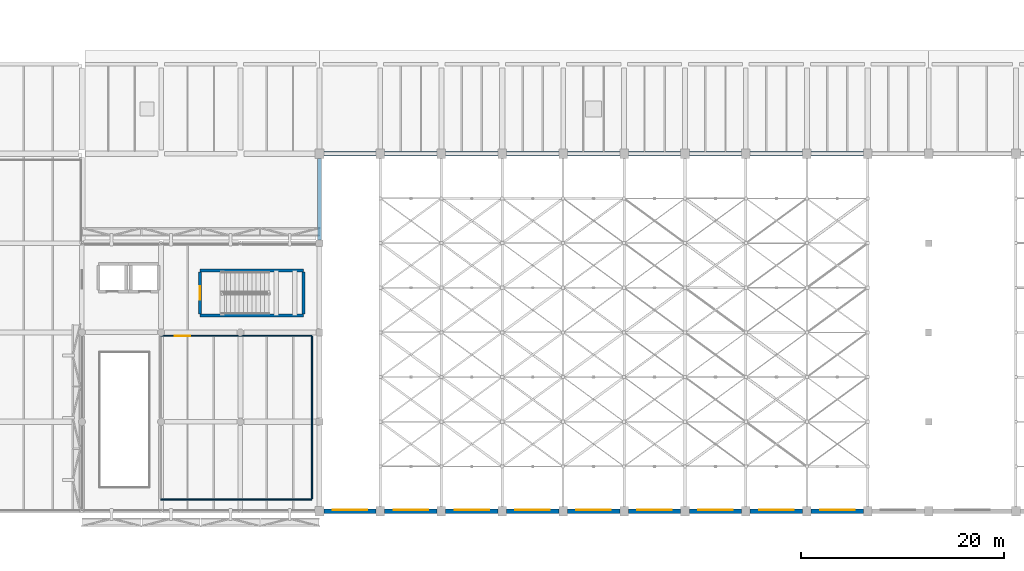
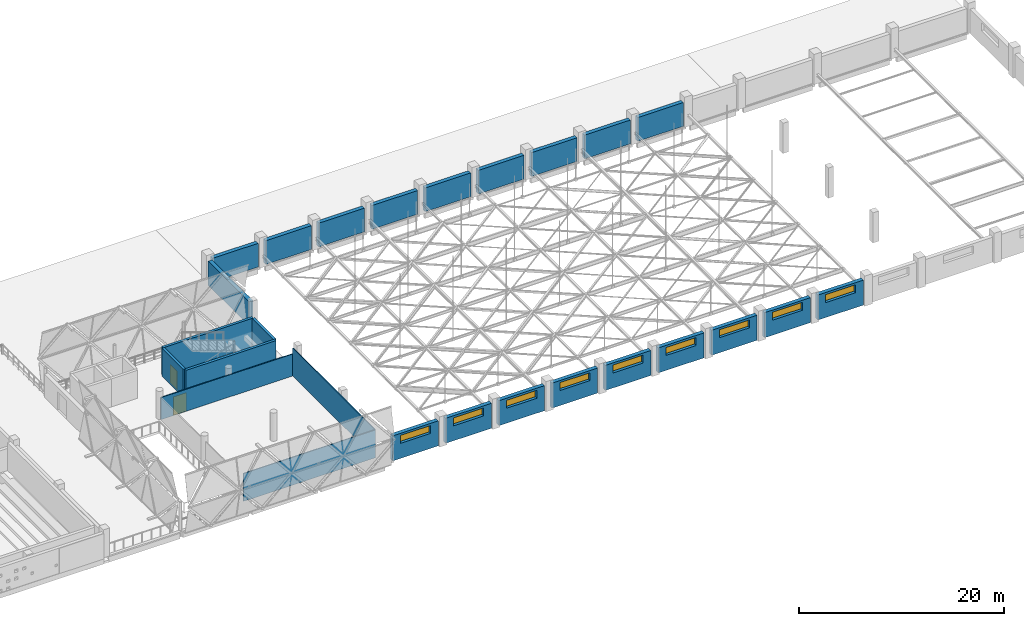
# One storey, part 81 of 93: 26 walls, 9 windows, 2 doors, 11 openings.
"""IFC4 building model written with IfcOpenShell, lengths in metres."""

from ifc_helpers import new_model, si_unit, direction, frame, frame_2d, origin, place, context, subcontext, project, spatial, rectangle, extrude, material, layer, layer_set, type_object, element, fill, save


model = new_model("IFC4")

# Units and contexts
model_context = context("Model", 3, precision=1e-05, world=origin(), true_north=direction((0.0, 1.0)))
body_context = subcontext(model_context, "Body", "Model", "MODEL_VIEW")
ifc_project = project(units=[si_unit("LENGTHUNIT", "METRE"), si_unit("AREAUNIT", "SQUARE_METRE"), si_unit("VOLUMEUNIT", "CUBIC_METRE"), si_unit("PLANEANGLEUNIT", "RADIAN"), si_unit("MASSUNIT", "GRAM", prefix="KILO")], contexts=[model_context])

# Site, building, storey
site_placement = place(None, origin())
site = spatial("IfcSite", under=ifc_project, at=site_placement, CompositionType="ELEMENT")
building_placement = place(site_placement, origin())
building = spatial("IfcBuilding", under=site, at=building_placement, Name="Varnakota Cinema and Media Centre", CompositionType="ELEMENT")
storey_placement = place(building_placement, frame((0.0, 0.0, 12.0)))
storey = spatial("IfcBuildingStorey", under=building, at=storey_placement, Name="L03", CompositionType="ELEMENT", Elevation=12.0)

# Wall
ifc_material_1 = material(Name="Concrete M40", Category="concrete")
ifc_layer_1 = layer(ifc_material_1, 0.300048828125)
ifc_layer_set_1 = layer_set([ifc_layer_1], Name="Concrete M40")
wall_type_1 = type_object("IfcWallType", Name="W-CORE-300", PredefinedType="SHEAR", material=ifc_layer_set_1)
wall_1_placement = place(storey_placement, frame((73.429931640625, 19.25, 0.0), z_axis=(0.0, 0.0, 1.0), x_axis=(-1.0, 0.0, 0.0)))
element("IfcWall", 1, at=wall_1_placement, inside=storey, type_object=wall_type_1, Name="L03 CWALL-ST-04-L03 S wall", PredefinedType="SHEAR", context=body_context, shape_type="SweptSolid", body=[
    extrude(rectangle(XDim=10.179931640625, YDim=0.300048828125, at=frame_2d((5.08984375, 0.0))), origin(), (0.0, 0.0, 1.0), 3.35009765625),
])

# Wall, opening, door
wall_2_placement = place(storey_placement, frame((63.25, 19.39990234375, 0.0), z_axis=(0.0, 0.0, 1.0), x_axis=(0.0, 1.0, 0.0)))
wall_2 = element("IfcWall", 2, at=wall_2_placement, inside=storey, type_object=wall_type_1, Name="L03 CWALL-ST-04-L03 W wall", PredefinedType="SHEAR", context=body_context, shape_type="SweptSolid", body=[
    extrude(rectangle(XDim=4.150146484375, YDim=0.300048828125, at=frame_2d((2.0751953125, 0.0))), origin(), (0.0, 0.0, 1.0), 3.35009765625),
])
opening_1_placement = place(wall_2_placement, frame((1.39990234375, 0.0, 0.0)))
opening_1 = element("IfcOpeningElement", 3, at=opening_1_placement, cuts=wall_2, Name="Opening SD-04", PredefinedType="OPENING", context=body_context, shape_type="SweptSolid", body=[
    extrude(rectangle(XDim=1.35009765625, YDim=2.199951171875, at=frame_2d((0.675048828125, 1.10009765625))), frame((0.0, 0.14990234375, 0.0), z_axis=(0.0, -1.0, 0.0), x_axis=(1.0, 0.0, 0.0)), (0.0, 0.0, 1.0), 0.300048828125),
])
ifc_material_2 = material(Name="Thermally broken anodised aluminium AW-6063", Category="aluminium")
door_type_1 = type_object("IfcDoorType", Name="DR-STAIR-1350x2200", OperationType="NOTDEFINED", PredefinedType="DOOR", material=ifc_material_2)
door_1_placement = place(opening_1_placement, origin())
door_1 = element("IfcDoor", 4, at=door_1_placement, inside=storey, type_object=door_type_1, Name="L03 door SD-04", OperationType="SINGLE_SWING_RIGHT", OverallHeight=2.199951171875, OverallWidth=1.35009765625, PredefinedType="DOOR", context=body_context, shape_type="SweptSolid", body=[
    extrude(rectangle(XDim=1.35009765625, YDim=2.199951171875, at=frame_2d((0.675048828125, 1.10009765625))), frame((0.0, 0.02490234375, 0.0), z_axis=(0.0, -1.0, 0.0), x_axis=(1.0, 0.0, 0.0)), (0.0, 0.0, 1.0), 0.050048828125),
])
fill(opening_1, door_1)

# Walls
wall_3_placement = place(storey_placement, frame((63.25, 23.699951171875, 0.0), z_axis=(0.0, 0.0, 1.0), x_axis=(1.0, 0.0, 0.0)))
element("IfcWall", 5, at=wall_3_placement, inside=storey, type_object=wall_type_1, Name="L03 CWALL-ST-04-L03 N wall", PredefinedType="SHEAR", context=body_context, shape_type="SweptSolid", body=[
    extrude(rectangle(XDim=10.179931640625, YDim=0.300048828125, at=frame_2d((5.08984375, 0.0))), origin(), (0.0, 0.0, 1.0), 3.35009765625),
])
wall_4_placement = place(storey_placement, frame((73.429931640625, 23.550048828125, 0.0), z_axis=(0.0, 0.0, 1.0), x_axis=(0.0, -1.0, 0.0)))
element("IfcWall", 6, at=wall_4_placement, inside=storey, type_object=wall_type_1, Name="L03 CWALL-ST-04-L03 E wall", PredefinedType="SHEAR", context=body_context, shape_type="SweptSolid", body=[
    extrude(rectangle(XDim=4.150146484375, YDim=0.300048828125, at=frame_2d((2.0751953125, 0.0))), origin(), (0.0, 0.0, 1.0), 3.35009765625),
])

# Wall, opening, window
ifc_material_3 = material(Name="Deccan grey granite ashlar", Category="masonry")
ifc_layer_2 = layer(ifc_material_3, 0.43994140625)
ifc_layer_set_2 = layer_set([ifc_layer_2], Name="Deccan grey granite ashlar")
wall_type_2 = type_object("IfcWallType", Name="W-EXT-HALL-440", PredefinedType="SOLIDWALL", material=ifc_layer_set_2)
wall_5_placement = place(storey_placement, frame((128.574951171875, 0.0, 0.0), z_axis=(0.0, 0.0, 1.0), x_axis=(-1.0, 0.0, 0.0)))
wall_5 = element("IfcWall", 7, at=wall_5_placement, inside=storey, type_object=wall_type_2, Name="L03 exterior wall V1-S-2", PredefinedType="SOLIDWALL", context=body_context, shape_type="SweptSolid", body=[
    extrude(rectangle(XDim=5.14990234375, YDim=0.43994140625, at=frame_2d((2.574951171875, 0.0))), origin(), (0.0, 0.0, 1.0), 2.985107421875),
])
opening_2_placement = place(wall_5_placement, frame((0.875, 0.0, 1.784912109375)))
opening_2 = element("IfcOpeningElement", 8, at=opening_2_placement, cuts=wall_5, Name="Opening WR05", PredefinedType="OPENING", context=body_context, shape_type="SweptSolid", body=[
    extrude(rectangle(XDim=3.39990234375, YDim=0.949951171875, at=frame_2d((1.699951171875, 0.47509765625))), frame((0.0, 0.219970703125, 0.0), z_axis=(0.0, -1.0, 0.0), x_axis=(1.0, 0.0, 0.0)), (0.0, 0.0, 1.0), 0.43994140625),
])
ifc_material_4 = material(Name="Laminated solar-control double glazing", Category="glass")
window_type = type_object("IfcWindowType", Name="WIN-CLER-340x095", PartitioningType="SINGLE_PANEL", PredefinedType="WINDOW", material=ifc_material_4)
window_1_placement = place(opening_2_placement, origin())
window_1 = element("IfcWindow", 9, at=window_1_placement, inside=storey, type_object=window_type, Name="L03 window WR05", OverallHeight=0.949951171875, OverallWidth=3.39990234375, PartitioningType="SINGLE_PANEL", PredefinedType="WINDOW", context=body_context, shape_type="SweptSolid", body=[
    extrude(rectangle(XDim=3.39990234375, YDim=0.949951171875, at=frame_2d((1.699951171875, 0.47509765625))), frame((0.0, -0.090087890625, 0.0), z_axis=(0.0, -1.0, 0.0), x_axis=(1.0, 0.0, 0.0)), (0.0, 0.0, 1.0), 0.06005859375),
])
fill(opening_2, window_1)

wall_6_placement = place(storey_placement, frame((122.574951171875, 0.0, 0.0), z_axis=(0.0, 0.0, 1.0), x_axis=(-1.0, 0.0, 0.0)))
wall_6 = element("IfcWall", 10, at=wall_6_placement, inside=storey, type_object=wall_type_2, Name="L03 exterior wall V1-S-3", PredefinedType="SOLIDWALL", context=body_context, shape_type="SweptSolid", body=[
    extrude(rectangle(XDim=5.14990234375, YDim=0.43994140625, at=frame_2d((2.574951171875, 0.0))), origin(), (0.0, 0.0, 1.0), 2.985107421875),
])
opening_3_placement = place(wall_6_placement, frame((0.875, 0.0, 1.784912109375)))
opening_3 = element("IfcOpeningElement", 11, at=opening_3_placement, cuts=wall_6, Name="Opening WR05", PredefinedType="OPENING", context=body_context, shape_type="SweptSolid", body=[
    extrude(rectangle(XDim=3.39990234375, YDim=0.949951171875, at=frame_2d((1.699951171875, 0.47509765625))), frame((0.0, 0.219970703125, 0.0), z_axis=(0.0, -1.0, 0.0), x_axis=(1.0, 0.0, 0.0)), (0.0, 0.0, 1.0), 0.43994140625),
])
window_2_placement = place(opening_3_placement, origin())
window_2 = element("IfcWindow", 12, at=window_2_placement, inside=storey, type_object=window_type, Name="L03 window WR05", OverallHeight=0.949951171875, OverallWidth=3.39990234375, PartitioningType="SINGLE_PANEL", PredefinedType="WINDOW", context=body_context, shape_type="SweptSolid", body=[
    extrude(rectangle(XDim=3.39990234375, YDim=0.949951171875, at=frame_2d((1.699951171875, 0.47509765625))), frame((0.0, -0.090087890625, 0.0), z_axis=(0.0, -1.0, 0.0), x_axis=(1.0, 0.0, 0.0)), (0.0, 0.0, 1.0), 0.06005859375),
])
fill(opening_3, window_2)

wall_7_placement = place(storey_placement, frame((116.574951171875, 0.0, 0.0), z_axis=(0.0, 0.0, 1.0), x_axis=(-1.0, 0.0, 0.0)))
wall_7 = element("IfcWall", 13, at=wall_7_placement, inside=storey, type_object=wall_type_2, Name="L03 exterior wall V1-S-4", PredefinedType="SOLIDWALL", context=body_context, shape_type="SweptSolid", body=[
    extrude(rectangle(XDim=5.14990234375, YDim=0.43994140625, at=frame_2d((2.574951171875, 0.0))), origin(), (0.0, 0.0, 1.0), 2.985107421875),
])
opening_4_placement = place(wall_7_placement, frame((0.875, 0.0, 1.784912109375)))
opening_4 = element("IfcOpeningElement", 14, at=opening_4_placement, cuts=wall_7, Name="Opening WR05", PredefinedType="OPENING", context=body_context, shape_type="SweptSolid", body=[
    extrude(rectangle(XDim=3.39990234375, YDim=0.949951171875, at=frame_2d((1.699951171875, 0.47509765625))), frame((0.0, 0.219970703125, 0.0), z_axis=(0.0, -1.0, 0.0), x_axis=(1.0, 0.0, 0.0)), (0.0, 0.0, 1.0), 0.43994140625),
])
window_3_placement = place(opening_4_placement, origin())
window_3 = element("IfcWindow", 15, at=window_3_placement, inside=storey, type_object=window_type, Name="L03 window WR05", OverallHeight=0.949951171875, OverallWidth=3.39990234375, PartitioningType="SINGLE_PANEL", PredefinedType="WINDOW", context=body_context, shape_type="SweptSolid", body=[
    extrude(rectangle(XDim=3.39990234375, YDim=0.949951171875, at=frame_2d((1.699951171875, 0.47509765625))), frame((0.0, -0.090087890625, 0.0), z_axis=(0.0, -1.0, 0.0), x_axis=(1.0, 0.0, 0.0)), (0.0, 0.0, 1.0), 0.06005859375),
])
fill(opening_4, window_3)

wall_8_placement = place(storey_placement, frame((110.574951171875, 0.0, 0.0), z_axis=(0.0, 0.0, 1.0), x_axis=(-1.0, 0.0, 0.0)))
wall_8 = element("IfcWall", 16, at=wall_8_placement, inside=storey, type_object=wall_type_2, Name="L03 exterior wall V1-S-5", PredefinedType="SOLIDWALL", context=body_context, shape_type="SweptSolid", body=[
    extrude(rectangle(XDim=5.14990234375, YDim=0.43994140625, at=frame_2d((2.574951171875, 0.0))), origin(), (0.0, 0.0, 1.0), 2.985107421875),
])
opening_5_placement = place(wall_8_placement, frame((0.875, 0.0, 1.784912109375)))
opening_5 = element("IfcOpeningElement", 17, at=opening_5_placement, cuts=wall_8, Name="Opening WR05", PredefinedType="OPENING", context=body_context, shape_type="SweptSolid", body=[
    extrude(rectangle(XDim=3.39990234375, YDim=0.949951171875, at=frame_2d((1.699951171875, 0.47509765625))), frame((0.0, 0.219970703125, 0.0), z_axis=(0.0, -1.0, 0.0), x_axis=(1.0, 0.0, 0.0)), (0.0, 0.0, 1.0), 0.43994140625),
])
window_4_placement = place(opening_5_placement, origin())
window_4 = element("IfcWindow", 18, at=window_4_placement, inside=storey, type_object=window_type, Name="L03 window WR05", OverallHeight=0.949951171875, OverallWidth=3.39990234375, PartitioningType="SINGLE_PANEL", PredefinedType="WINDOW", context=body_context, shape_type="SweptSolid", body=[
    extrude(rectangle(XDim=3.39990234375, YDim=0.949951171875, at=frame_2d((1.699951171875, 0.47509765625))), frame((0.0, -0.090087890625, 0.0), z_axis=(0.0, -1.0, 0.0), x_axis=(1.0, 0.0, 0.0)), (0.0, 0.0, 1.0), 0.06005859375),
])
fill(opening_5, window_4)

wall_9_placement = place(storey_placement, frame((104.574951171875, 0.0, 0.0), z_axis=(0.0, 0.0, 1.0), x_axis=(-1.0, 0.0, 0.0)))
wall_9 = element("IfcWall", 19, at=wall_9_placement, inside=storey, type_object=wall_type_2, Name="L03 exterior wall V1-S-6", PredefinedType="SOLIDWALL", context=body_context, shape_type="SweptSolid", body=[
    extrude(rectangle(XDim=5.14990234375, YDim=0.43994140625, at=frame_2d((2.574951171875, 0.0))), origin(), (0.0, 0.0, 1.0), 2.985107421875),
])
opening_6_placement = place(wall_9_placement, frame((0.875, 0.0, 1.784912109375)))
opening_6 = element("IfcOpeningElement", 20, at=opening_6_placement, cuts=wall_9, Name="Opening WR05", PredefinedType="OPENING", context=body_context, shape_type="SweptSolid", body=[
    extrude(rectangle(XDim=3.39990234375, YDim=0.949951171875, at=frame_2d((1.699951171875, 0.47509765625))), frame((0.0, 0.219970703125, 0.0), z_axis=(0.0, -1.0, 0.0), x_axis=(1.0, 0.0, 0.0)), (0.0, 0.0, 1.0), 0.43994140625),
])
window_5_placement = place(opening_6_placement, origin())
window_5 = element("IfcWindow", 21, at=window_5_placement, inside=storey, type_object=window_type, Name="L03 window WR05", OverallHeight=0.949951171875, OverallWidth=3.39990234375, PartitioningType="SINGLE_PANEL", PredefinedType="WINDOW", context=body_context, shape_type="SweptSolid", body=[
    extrude(rectangle(XDim=3.39990234375, YDim=0.949951171875, at=frame_2d((1.699951171875, 0.47509765625))), frame((0.0, -0.090087890625, 0.0), z_axis=(0.0, -1.0, 0.0), x_axis=(1.0, 0.0, 0.0)), (0.0, 0.0, 1.0), 0.06005859375),
])
fill(opening_6, window_5)

wall_10_placement = place(storey_placement, frame((98.574951171875, 0.0, 0.0), z_axis=(0.0, 0.0, 1.0), x_axis=(-1.0, 0.0, 0.0)))
wall_10 = element("IfcWall", 22, at=wall_10_placement, inside=storey, type_object=wall_type_2, Name="L03 exterior wall V1-S-7", PredefinedType="SOLIDWALL", context=body_context, shape_type="SweptSolid", body=[
    extrude(rectangle(XDim=5.14990234375, YDim=0.43994140625, at=frame_2d((2.574951171875, 0.0))), origin(), (0.0, 0.0, 1.0), 2.985107421875),
])
opening_7_placement = place(wall_10_placement, frame((0.875, 0.0, 1.784912109375)))
opening_7 = element("IfcOpeningElement", 23, at=opening_7_placement, cuts=wall_10, Name="Opening WR05", PredefinedType="OPENING", context=body_context, shape_type="SweptSolid", body=[
    extrude(rectangle(XDim=3.39990234375, YDim=0.949951171875, at=frame_2d((1.699951171875, 0.47509765625))), frame((0.0, 0.219970703125, 0.0), z_axis=(0.0, -1.0, 0.0), x_axis=(1.0, 0.0, 0.0)), (0.0, 0.0, 1.0), 0.43994140625),
])
window_6_placement = place(opening_7_placement, origin())
window_6 = element("IfcWindow", 24, at=window_6_placement, inside=storey, type_object=window_type, Name="L03 window WR05", OverallHeight=0.949951171875, OverallWidth=3.39990234375, PartitioningType="SINGLE_PANEL", PredefinedType="WINDOW", context=body_context, shape_type="SweptSolid", body=[
    extrude(rectangle(XDim=3.39990234375, YDim=0.949951171875, at=frame_2d((1.699951171875, 0.47509765625))), frame((0.0, -0.090087890625, 0.0), z_axis=(0.0, -1.0, 0.0), x_axis=(1.0, 0.0, 0.0)), (0.0, 0.0, 1.0), 0.06005859375),
])
fill(opening_7, window_6)

wall_11_placement = place(storey_placement, frame((92.574951171875, 0.0, 0.0), z_axis=(0.0, 0.0, 1.0), x_axis=(-1.0, 0.0, 0.0)))
wall_11 = element("IfcWall", 25, at=wall_11_placement, inside=storey, type_object=wall_type_2, Name="L03 exterior wall V1-S-8", PredefinedType="SOLIDWALL", context=body_context, shape_type="SweptSolid", body=[
    extrude(rectangle(XDim=5.14990234375, YDim=0.43994140625, at=frame_2d((2.574951171875, 0.0))), origin(), (0.0, 0.0, 1.0), 2.985107421875),
])
opening_8_placement = place(wall_11_placement, frame((0.875, 0.0, 1.784912109375)))
opening_8 = element("IfcOpeningElement", 26, at=opening_8_placement, cuts=wall_11, Name="Opening WR05", PredefinedType="OPENING", context=body_context, shape_type="SweptSolid", body=[
    extrude(rectangle(XDim=3.39990234375, YDim=0.949951171875, at=frame_2d((1.699951171875, 0.47509765625))), frame((0.0, 0.219970703125, 0.0), z_axis=(0.0, -1.0, 0.0), x_axis=(1.0, 0.0, 0.0)), (0.0, 0.0, 1.0), 0.43994140625),
])
window_7_placement = place(opening_8_placement, origin())
window_7 = element("IfcWindow", 27, at=window_7_placement, inside=storey, type_object=window_type, Name="L03 window WR05", OverallHeight=0.949951171875, OverallWidth=3.39990234375, PartitioningType="SINGLE_PANEL", PredefinedType="WINDOW", context=body_context, shape_type="SweptSolid", body=[
    extrude(rectangle(XDim=3.39990234375, YDim=0.949951171875, at=frame_2d((1.699951171875, 0.47509765625))), frame((0.0, -0.090087890625, 0.0), z_axis=(0.0, -1.0, 0.0), x_axis=(1.0, 0.0, 0.0)), (0.0, 0.0, 1.0), 0.06005859375),
])
fill(opening_8, window_7)

wall_12_placement = place(storey_placement, frame((86.574951171875, 0.0, 0.0), z_axis=(0.0, 0.0, 1.0), x_axis=(-1.0, 0.0, 0.0)))
wall_12 = element("IfcWall", 28, at=wall_12_placement, inside=storey, type_object=wall_type_2, Name="L03 exterior wall V1-S-9", PredefinedType="SOLIDWALL", context=body_context, shape_type="SweptSolid", body=[
    extrude(rectangle(XDim=5.14990234375, YDim=0.43994140625, at=frame_2d((2.574951171875, 0.0))), origin(), (0.0, 0.0, 1.0), 2.985107421875),
])
opening_9_placement = place(wall_12_placement, frame((0.875, 0.0, 1.784912109375)))
opening_9 = element("IfcOpeningElement", 29, at=opening_9_placement, cuts=wall_12, Name="Opening WR05", PredefinedType="OPENING", context=body_context, shape_type="SweptSolid", body=[
    extrude(rectangle(XDim=3.39990234375, YDim=0.949951171875, at=frame_2d((1.699951171875, 0.47509765625))), frame((0.0, 0.219970703125, 0.0), z_axis=(0.0, -1.0, 0.0), x_axis=(1.0, 0.0, 0.0)), (0.0, 0.0, 1.0), 0.43994140625),
])
window_8_placement = place(opening_9_placement, origin())
window_8 = element("IfcWindow", 30, at=window_8_placement, inside=storey, type_object=window_type, Name="L03 window WR05", OverallHeight=0.949951171875, OverallWidth=3.39990234375, PartitioningType="SINGLE_PANEL", PredefinedType="WINDOW", context=body_context, shape_type="SweptSolid", body=[
    extrude(rectangle(XDim=3.39990234375, YDim=0.949951171875, at=frame_2d((1.699951171875, 0.47509765625))), frame((0.0, -0.090087890625, 0.0), z_axis=(0.0, -1.0, 0.0), x_axis=(1.0, 0.0, 0.0)), (0.0, 0.0, 1.0), 0.06005859375),
])
fill(opening_9, window_8)

wall_13_placement = place(storey_placement, frame((80.574951171875, 0.0, 0.0), z_axis=(0.0, 0.0, 1.0), x_axis=(-1.0, 0.0, 0.0)))
wall_13 = element("IfcWall", 31, at=wall_13_placement, inside=storey, type_object=wall_type_2, Name="L03 exterior wall V1-S-10", PredefinedType="SOLIDWALL", context=body_context, shape_type="SweptSolid", body=[
    extrude(rectangle(XDim=5.14990234375, YDim=0.43994140625, at=frame_2d((2.574951171875, 0.0))), origin(), (0.0, 0.0, 1.0), 2.985107421875),
])
opening_10_placement = place(wall_13_placement, frame((0.875, 0.0, 1.784912109375)))
opening_10 = element("IfcOpeningElement", 32, at=opening_10_placement, cuts=wall_13, Name="Opening WR05", PredefinedType="OPENING", context=body_context, shape_type="SweptSolid", body=[
    extrude(rectangle(XDim=3.39990234375, YDim=0.949951171875, at=frame_2d((1.699951171875, 0.47509765625))), frame((0.0, 0.219970703125, 0.0), z_axis=(0.0, -1.0, 0.0), x_axis=(1.0, 0.0, 0.0)), (0.0, 0.0, 1.0), 0.43994140625),
])
window_9_placement = place(opening_10_placement, origin())
window_9 = element("IfcWindow", 33, at=window_9_placement, inside=storey, type_object=window_type, Name="L03 window WR05", OverallHeight=0.949951171875, OverallWidth=3.39990234375, PartitioningType="SINGLE_PANEL", PredefinedType="WINDOW", context=body_context, shape_type="SweptSolid", body=[
    extrude(rectangle(XDim=3.39990234375, YDim=0.949951171875, at=frame_2d((1.699951171875, 0.47509765625))), frame((0.0, -0.090087890625, 0.0), z_axis=(0.0, -1.0, 0.0), x_axis=(1.0, 0.0, 0.0)), (0.0, 0.0, 1.0), 0.06005859375),
])
fill(opening_10, window_9)

# Walls
for number, where, z_axis, x_axis, name in (
    (34, (75.425048828125, 35.199951171875, 0.0), (0.0, 0.0, 1.0), (1.0, 0.0, 0.0), "L03 exterior wall V1-N-1"),
    (35, (81.425048828125, 35.199951171875, 0.0), (0.0, 0.0, 1.0), (1.0, 0.0, 0.0), "L03 exterior wall V1-N-2"),
    (36, (87.425048828125, 35.199951171875, 0.0), (0.0, 0.0, 1.0), (1.0, 0.0, 0.0), "L03 exterior wall V1-N-3"),
    (37, (93.425048828125, 35.199951171875, 0.0), (0.0, 0.0, 1.0), (1.0, 0.0, 0.0), "L03 exterior wall V1-N-4"),
    (38, (99.425048828125, 35.199951171875, 0.0), (0.0, 0.0, 1.0), (1.0, 0.0, 0.0), "L03 exterior wall V1-N-5"),
    (39, (105.425048828125, 35.199951171875, 0.0), (0.0, 0.0, 1.0), (1.0, 0.0, 0.0), "L03 exterior wall V1-N-6"),
    (40, (111.425048828125, 35.199951171875, 0.0), (0.0, 0.0, 1.0), (1.0, 0.0, 0.0), "L03 exterior wall V1-N-7"),
    (41, (117.425048828125, 35.199951171875, 0.0), (0.0, 0.0, 1.0), (1.0, 0.0, 0.0), "L03 exterior wall V1-N-8"),
    (42, (123.425048828125, 35.199951171875, 0.0), (0.0, 0.0, 1.0), (1.0, 0.0, 0.0), "L03 exterior wall V1-N-9"),
):
    element("IfcWall", number, at=place(storey_placement, frame(where, z_axis=z_axis, x_axis=x_axis)), inside=storey, type_object=wall_type_2, Name=name, PredefinedType="SOLIDWALL", context=body_context, shape_type="SweptSolid", body=[
        extrude(rectangle(XDim=5.14990234375, YDim=0.43994140625, at=frame_2d((2.574951171875, 0.0))), origin(), (0.0, 0.0, 1.0), 2.8349609375),
    ])
wall_14_placement = place(storey_placement, frame((75.0, 34.72509765625, 0.0), z_axis=(0.0, 0.0, 1.0), x_axis=(0.0, -1.0, 0.0)))
element("IfcWall", 43, at=wall_14_placement, inside=storey, type_object=wall_type_2, Name="L03 exterior wall V1-W-1", PredefinedType="SOLIDWALL", context=body_context, shape_type="SweptSolid", body=[
    extrude(rectangle(XDim=8.0, YDim=0.43994140625, at=frame_2d((4.0, 0.0))), origin(), (0.0, 0.0, 1.0), 2.885009765625),
])
ifc_material_5 = material(Name="Autoclaved aerated concrete blockwork", Category="masonry")
ifc_layer_3 = layer(ifc_material_5, 0.110107421875)
ifc_layer_set_3 = layer_set([ifc_layer_3], Name="Autoclaved aerated concrete blockwork")
wall_type_3 = type_object("IfcWallType", Name="W-PART-110", PredefinedType="PARTITIONING", material=ifc_layer_set_3)
wall_15_placement = place(storey_placement, frame((74.2548828125, 1.14501953125, 0.0), z_axis=(0.0, 0.0, 1.0), x_axis=(-1.0, 0.0, 0.0)))
element("IfcWall", 44, at=wall_15_placement, inside=storey, type_object=wall_type_3, Name="L03 RWALL-RM-L03-LIB2 S wall", PredefinedType="PARTITIONING", context=body_context, shape_type="SweptSolid", body=[
    extrude(rectangle(XDim=14.909912109375, YDim=0.110107421875, at=frame_2d((7.455078125, 0.0))), origin(), (0.0, 0.0, 1.0), 3.330078125),
])

# Wall, opening, door
wall_16_placement = place(storey_placement, frame((59.344970703125, 17.2548828125, 0.0), z_axis=(0.0, 0.0, 1.0), x_axis=(1.0, 0.0, 0.0)))
wall_16 = element("IfcWall", 45, at=wall_16_placement, inside=storey, type_object=wall_type_3, Name="L03 RWALL-RM-L03-LIB2 N wall", PredefinedType="PARTITIONING", context=body_context, shape_type="SweptSolid", body=[
    extrude(rectangle(XDim=14.909912109375, YDim=0.110107421875, at=frame_2d((7.455078125, 0.0))), origin(), (0.0, 0.0, 1.0), 2.6298828125),
])
opening_11_placement = place(wall_16_placement, frame((1.405029296875, 0.0, 0.0)))
opening_11 = element("IfcOpeningElement", 46, at=opening_11_placement, cuts=wall_16, Name="Opening D-092", PredefinedType="OPENING", context=body_context, shape_type="SweptSolid", body=[
    extrude(rectangle(XDim=1.5, YDim=2.199951171875, at=frame_2d((0.75, 1.10009765625))), frame((0.0, 0.05517578125, 0.0), z_axis=(0.0, -1.0, 0.0), x_axis=(1.0, 0.0, 0.0)), (0.0, 0.0, 1.0), 0.110107421875),
])
ifc_material_6 = material(Name="Thermally broken anodised aluminium AW-6063", Category="aluminium")
door_type_2 = type_object("IfcDoorType", Name="DR-STD-1500x2200", OperationType="DOUBLE_DOOR_SINGLE_SWING", PredefinedType="DOOR", material=ifc_material_6)
door_2_placement = place(opening_11_placement, origin())
door_2 = element("IfcDoor", 47, at=door_2_placement, inside=storey, type_object=door_type_2, Name="L03 door D-092", OperationType="DOUBLE_DOOR_SINGLE_SWING", OverallHeight=2.199951171875, OverallWidth=1.5, PredefinedType="DOOR", context=body_context, shape_type="SweptSolid", body=[
    extrude(rectangle(XDim=1.5, YDim=2.199951171875, at=frame_2d((0.75, 1.10009765625))), frame((0.0, 0.02490234375, 0.0), z_axis=(0.0, -1.0, 0.0), x_axis=(1.0, 0.0, 0.0)), (0.0, 0.0, 1.0), 0.050048828125),
])
fill(opening_11, door_2)

# Wall
wall_17_placement = place(storey_placement, frame((74.2548828125, 17.199951171875, 0.0), z_axis=(0.0, 0.0, 1.0), x_axis=(0.0, -1.0, 0.0)))
element("IfcWall", 48, at=wall_17_placement, inside=storey, type_object=wall_type_3, Name="L03 RWALL-RM-L03-LIB2 E wall", PredefinedType="PARTITIONING", context=body_context, shape_type="SweptSolid", body=[
    extrude(rectangle(XDim=16.0, YDim=0.110107421875, at=frame_2d((8.0, 0.0))), origin(), (0.0, 0.0, 1.0), 3.330078125),
])

save(model, "model.ifc")
